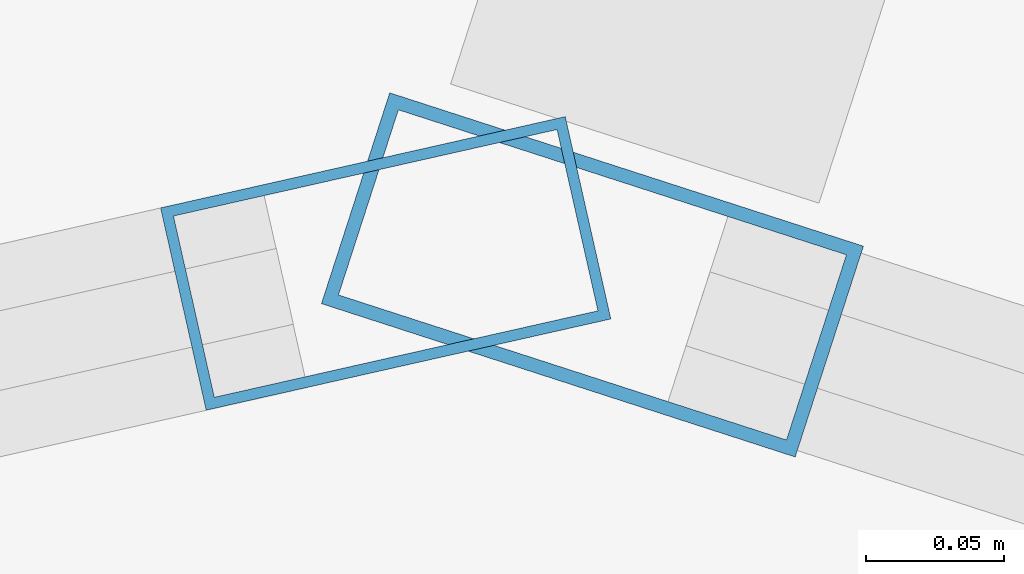
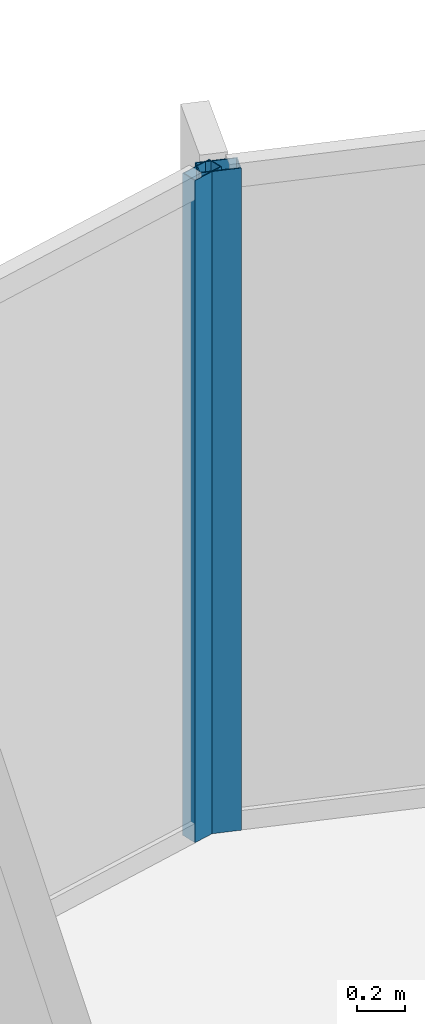
# One storey, part 21 of 34: 2 members, 2 elements without a shape of their own.
"""IFC4 building model written with IfcOpenShell, lengths in metres."""

from ifc_helpers import new_model, si_unit, direction, frame, origin, origin_2d, place, context, subcontext, project, spatial, hollow_rectangle, extrude, material, layer, layer_set, material_profile, profile_set, type_object, element, aggregate, save


model = new_model("IFC4")

# Units and contexts
model_context = context("Model", 3, precision=1e-05, world=origin(), true_north=direction((0.0, 1.0)))
body_context = subcontext(model_context, "Body", "Model", "MODEL_VIEW")
ifc_project = project(units=[si_unit("LENGTHUNIT", "METRE"), si_unit("AREAUNIT", "SQUARE_METRE"), si_unit("VOLUMEUNIT", "CUBIC_METRE"), si_unit("PLANEANGLEUNIT", "RADIAN"), si_unit("MASSUNIT", "GRAM", prefix="KILO")], contexts=[model_context])

# Site, building, storey
site_placement = place(None, origin())
site = spatial("IfcSite", under=ifc_project, at=site_placement, CompositionType="ELEMENT")
building_placement = place(site_placement, origin())
building = spatial("IfcBuilding", under=site, at=building_placement, Name="Kazevale Care Tower and Concert Hall", CompositionType="ELEMENT")
storey_placement = place(building_placement, frame((0.0, 0.0, 67.199951171875)))
storey = spatial("IfcBuildingStorey", under=building, at=storey_placement, Name="L17", CompositionType="ELEMENT", Elevation=67.199951171875)

# Curtain wall, member
ifc_material_1 = material(Name="Aluminium 6063-T6 and Low-E Glass", Category="aluminium")
ifc_layer_1 = layer(ifc_material_1, 0.179931640625)
ifc_layer_set_1 = layer_set([ifc_layer_1], Name="Aluminium 6063-T6 and Low-E Glass")
curtain_wall_type_1 = type_object("IfcCurtainWallType", Name="Convex Checkerboard Finned Curtain Wall CW-2", PredefinedType="NOTDEFINED", material=ifc_layer_set_1)
curtain_wall_1_placement = place(storey_placement, origin())
curtain_wall_1 = element("IfcCurtainWall", 1, at=curtain_wall_1_placement, inside=storey, type_object=curtain_wall_type_1, Name="cw:L17:f16", PredefinedType="NOTDEFINED")
ifc_material_2 = material(Name="Aluminium 6063-T6", Category="aluminium")
ifc_material_profile_1 = material_profile(ifc_material_2, hollow_rectangle(XDim=0.080078125, YDim=0.179931640625, WallThickness=0.0048828125, at=origin_2d()), Name="ALU80x180x5")
ifc_profile_set_1 = profile_set([ifc_material_profile_1], Name="Aluminium 6063-T6")
member_type_1 = type_object("IfcMemberType", Name="CW-2 Mullion ALU80x180x5", PredefinedType="MULLION", material=ifc_profile_set_1)
member_1_placement = place(storey_placement, frame((44.9970703125, 67.355712890625, 0.0), z_axis=(0.0, 0.0, 1.0), x_axis=(0.307925769029, 0.951410385043, 0.0)))
member_1 = element("IfcMember", 2, at=member_1_placement, type_object=member_type_1, Name="CW-2 mullion 1", PredefinedType="MULLION", context=body_context, shape_type="SweptSolid", body=[
    extrude(hollow_rectangle(XDim=0.080078125, YDim=0.179931640625, WallThickness=0.0048828125, at=origin_2d()), origin(), (0.0, 0.0, 1.0), 3.360107421875),
])
aggregate(curtain_wall_1, [member_1])

ifc_layer_2 = layer(ifc_material_1, 0.179931640625)
ifc_layer_set_2 = layer_set([ifc_layer_2], Name="Aluminium 6063-T6 and Low-E Glass")
curtain_wall_type_2 = type_object("IfcCurtainWallType", Name="Convex Recessed Sunroom Curtain Wall CW-3", PredefinedType="NOTDEFINED", material=ifc_layer_set_2)
curtain_wall_2_placement = place(storey_placement, origin())
curtain_wall_2 = element("IfcCurtainWall", 3, at=curtain_wall_2_placement, inside=storey, type_object=curtain_wall_type_2, Name="cw:L17:f15", PredefinedType="NOTDEFINED")
ifc_material_profile_2 = material_profile(ifc_material_2, hollow_rectangle(XDim=0.074951171875, YDim=0.14990234375, WallThickness=0.00390625, at=origin_2d()), Name="ALU75x150x4")
ifc_profile_set_2 = profile_set([ifc_material_profile_2], Name="Aluminium 6063-T6")
member_type_2 = type_object("IfcMemberType", Name="CW-3 Mullion ALU75x150x4", PredefinedType="MULLION", material=ifc_profile_set_2)
member_2_placement = place(storey_placement, frame((44.92236328125, 67.35986328125, 0.0), z_axis=(0.0, 0.0, 1.0), x_axis=(-0.219910670667, 0.975520013596, 0.0)))
member_2 = element("IfcMember", 4, at=member_2_placement, type_object=member_type_2, Name="CW-3 mullion 2", PredefinedType="MULLION", context=body_context, shape_type="SweptSolid", body=[
    extrude(hollow_rectangle(XDim=0.074951171875, YDim=0.14990234375, WallThickness=0.00390625, at=origin_2d()), origin(), (0.0, 0.0, 1.0), 3.360107421875),
])
aggregate(curtain_wall_2, [member_2])

save(model, "model.ifc")
